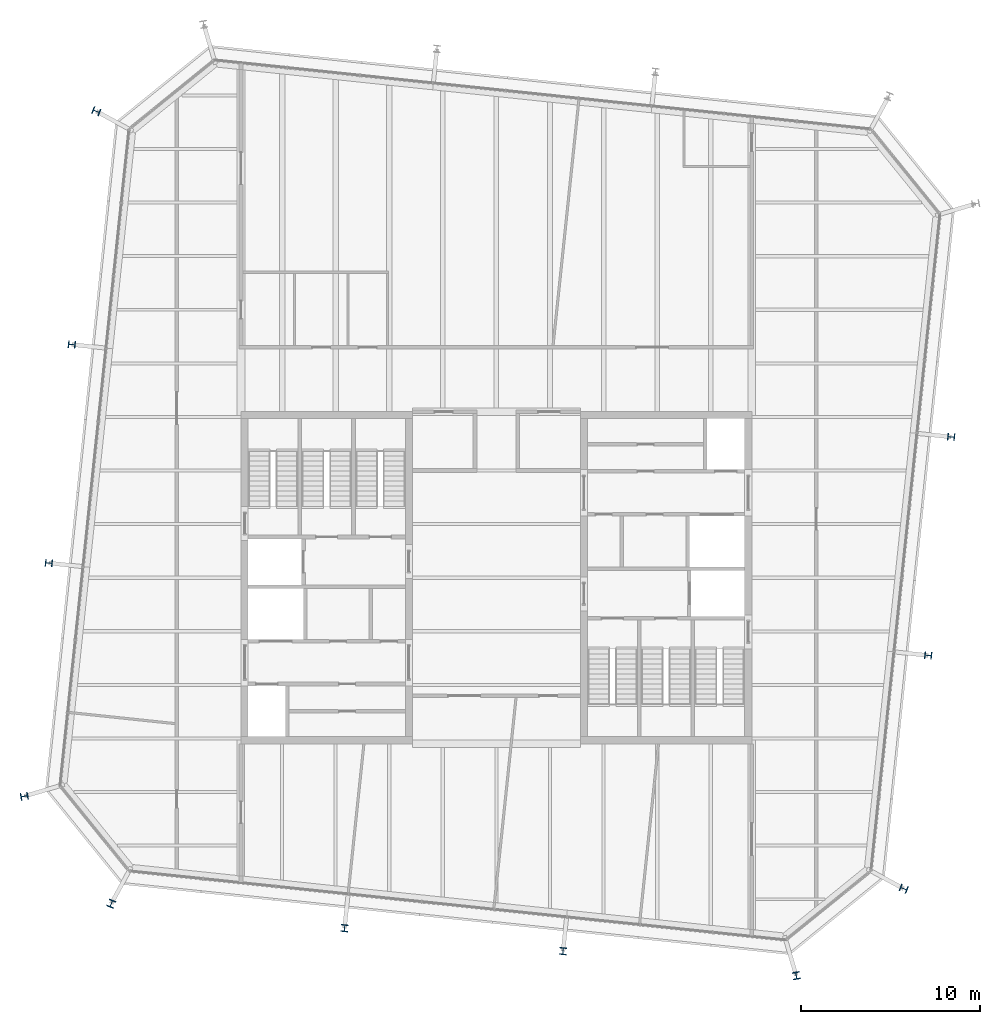
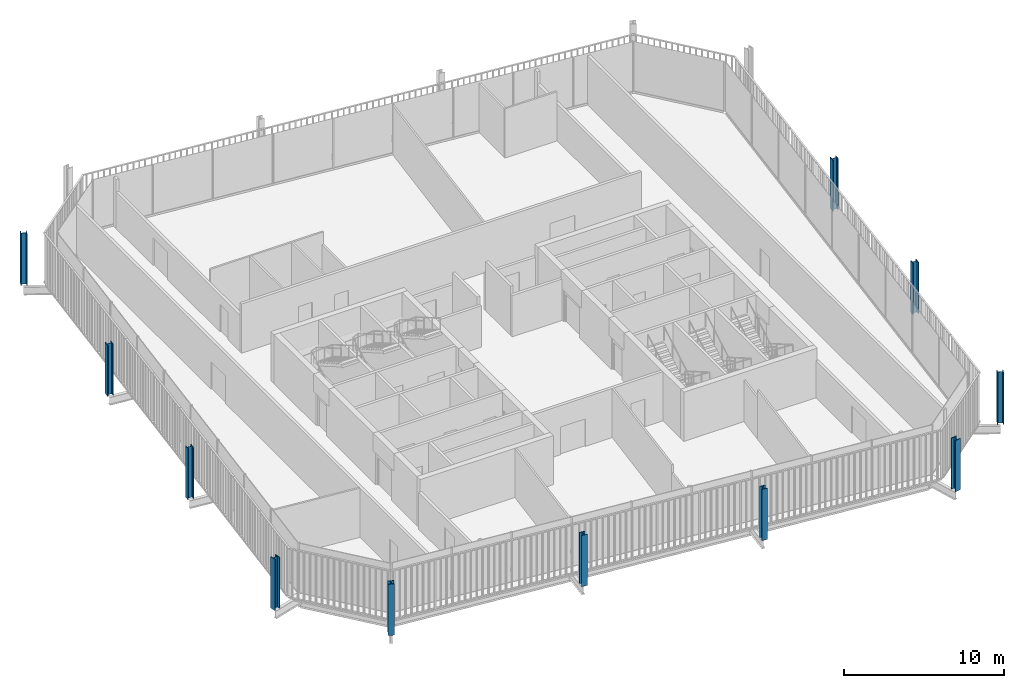
# One storey, part 1 of 20: 11 columns.
"""IFC4 building model written with IfcOpenShell, lengths in metres."""

from ifc_helpers import new_model, si_unit, direction, frame, origin, origin_2d, place, context, subcontext, project, spatial, i_section, extrude, material, material_profile, profile_set, type_object, element, save


model = new_model("IFC4")

# Units and contexts
model_context = context("Model", 3, precision=1e-05, world=origin(), true_north=direction((0.0, 1.0)))
body_context = subcontext(model_context, "Body", "Model", "MODEL_VIEW")
ifc_project = project(units=[si_unit("LENGTHUNIT", "METRE"), si_unit("AREAUNIT", "SQUARE_METRE"), si_unit("VOLUMEUNIT", "CUBIC_METRE"), si_unit("PLANEANGLEUNIT", "RADIAN"), si_unit("MASSUNIT", "GRAM", prefix="KILO")], contexts=[model_context])

# Site, building, storey
site_placement = place(None, origin())
site = spatial("IfcSite", under=ifc_project, at=site_placement, CompositionType="ELEMENT")
building_placement = place(site_placement, origin())
building = spatial("IfcBuilding", under=site, at=building_placement, Name="Millrace Tower", CompositionType="ELEMENT")
storey_placement = place(building_placement, frame((0.0, 0.0, 295.5)))
storey = spatial("IfcBuildingStorey", under=building, at=storey_placement, Name="L68", CompositionType="ELEMENT", Elevation=295.5)

# Columns
ifc_material_1 = material(Name="Steel ASTM A913 Grade 65", Category="steel")
ifc_material_profile_1 = material_profile(ifc_material_1, i_section(OverallWidth=0.4013671875, OverallDepth=0.398681640625, WebThickness=0.02490234375, FlangeThickness=0.03955078125, FilletRadius=0.01513671875, at=origin_2d()))
ifc_profile_set_1 = profile_set([ifc_material_profile_1], Name="Steel ASTM A913 Grade 65")
column_type_1 = type_object("IfcColumnType", Name="Exoskeleton column W14x211", PredefinedType="COLUMN", material=ifc_profile_set_1)
for number, where, z_axis, x_axis, name in (
    (1, (-8.50341796875, -19.62158203125, 0.0), (0.0, 0.0, 1.0), (0.994521897246, -0.104528445407, 0.0), "COL-E-L68-X03"),
    (2, (3.729248046875, -20.9072265625, 0.0), (0.0, 0.0, 1.0), (0.994521897246, -0.104528445407, 0.0), "COL-E-L68-X04"),
    (3, (24.171630859375, -4.353271484375, 0.0), (0.0, 0.0, 1.0), (0.104528445407, 0.994521897246, 0.0), "COL-E-L68-X07"),
    (4, (25.457275390625, 7.879150390625, 0.0), (0.0, 0.0, 1.0), (0.104528445407, 0.994521897246, 0.0), "COL-E-L68-X08"),
    (5, (-23.771484375, 13.053466796875, 0.0), (0.0, 0.0, 1.0), (-0.104528445407, -0.994521897246, 0.0), "COL-E-L68-X15"),
    (6, (-25.057373046875, 0.82080078125, 0.0), (0.0, 0.0, 1.0), (-0.104528445407, -0.994521897246, 0.0), "COL-E-L68-X16"),
):
    element("IfcColumn", number, at=place(storey_placement, frame(where, z_axis=z_axis, x_axis=x_axis)), inside=storey, type_object=column_type_1, Name=name, PredefinedType="COLUMN", context=body_context, shape_type="SweptSolid", body=[
        extrude(i_section(OverallWidth=0.4013671875, OverallDepth=0.398681640625, WebThickness=0.02490234375, FlangeThickness=0.03955078125, FilletRadius=0.01513671875, at=origin_2d()), origin(), (0.0, 0.0, 1.0), 3.89990234375),
    ])
ifc_material_2 = material(Name="Steel ASTM A913 Grade 65", Category="steel")
ifc_material_profile_2 = material_profile(ifc_material_2, i_section(OverallWidth=0.406494140625, OverallDepth=0.41650390625, WebThickness=0.030029296875, FlangeThickness=0.048095703125, FilletRadius=0.01513671875, at=origin_2d()))
ifc_profile_set_2 = profile_set([ifc_material_profile_2], Name="Steel ASTM A913 Grade 65")
column_type_2 = type_object("IfcColumnType", Name="Exoskeleton column W14x257", PredefinedType="COLUMN", material=ifc_profile_set_2)
for number, where, z_axis, x_axis, name in (
    (7, (-26.429443359375, -12.23583984375, 0.0), (0.0, 0.0, 1.0), (0.18038747256, -0.983595628164, 0.0), "COL-E-L68-X01"),
    (8, (-21.559814453125, -18.249267578125, 0.0), (0.0, 0.0, 1.0), (0.92459700658, -0.380946683176, 0.0), "COL-E-L68-X02"),
    (9, (16.78564453125, -22.279541015625, 0.0), (0.0, 0.0, 1.0), (0.983595628164, 0.18038747256, 0.0), "COL-E-L68-X05"),
    (10, (22.79931640625, -17.409912109375, 0.0), (0.0, 0.0, 1.0), (0.380946683176, 0.92459700658, 0.0), "COL-E-L68-X06"),
    (11, (-22.399169921875, 26.10986328125, 0.0), (0.0, 0.0, 1.0), (-0.380946683176, -0.92459700658, 0.0), "COL-E-L68-X14"),
):
    element("IfcColumn", number, at=place(storey_placement, frame(where, z_axis=z_axis, x_axis=x_axis)), inside=storey, type_object=column_type_2, Name=name, PredefinedType="COLUMN", context=body_context, shape_type="SweptSolid", body=[
        extrude(i_section(OverallWidth=0.406494140625, OverallDepth=0.41650390625, WebThickness=0.030029296875, FlangeThickness=0.048095703125, FilletRadius=0.01513671875, at=origin_2d()), origin(), (0.0, 0.0, 1.0), 3.89990234375),
    ])

save(model, "model.ifc")
